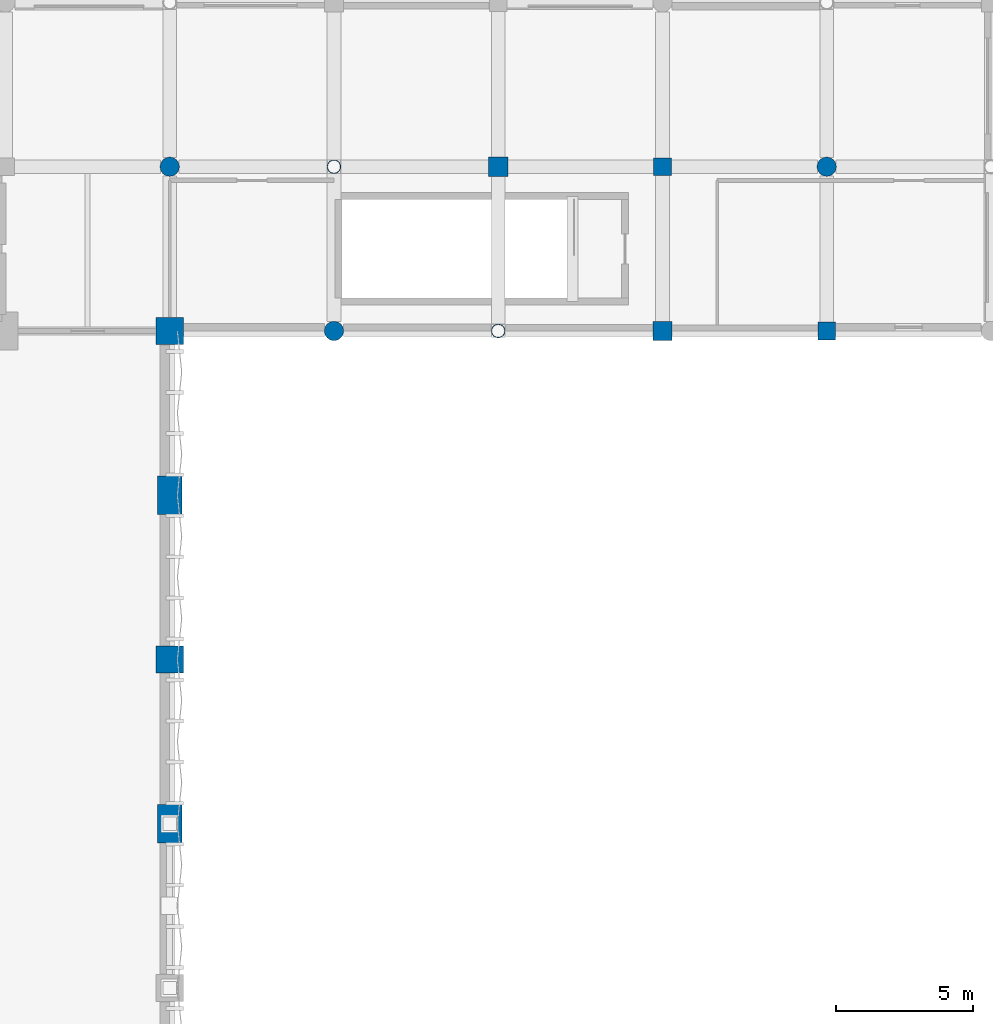
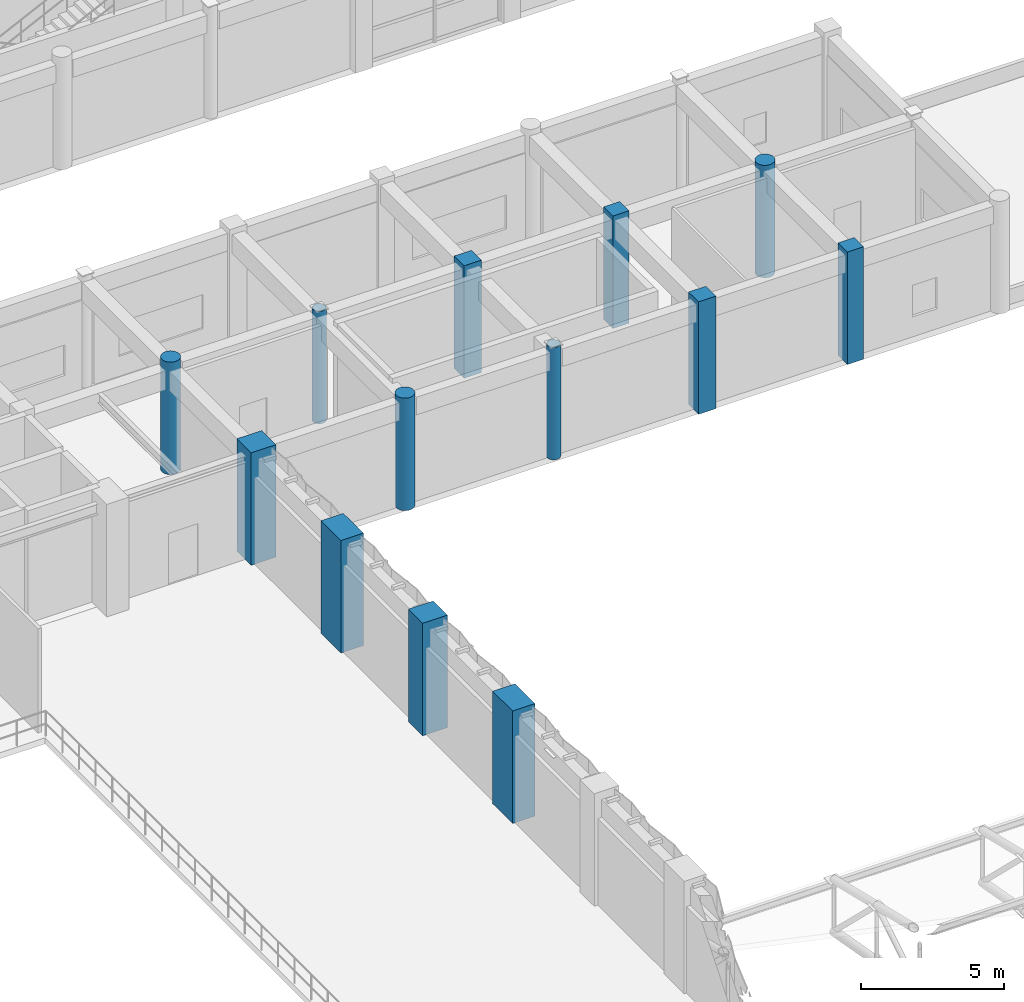
# One storey, part 8 of 123: 13 columns.
"""IFC4 building model written with IfcOpenShell, lengths in metres."""

from ifc_helpers import new_model, si_unit, direction, frame, origin, origin_2d, place, context, subcontext, project, spatial, rectangle, circle, hollow_circle, extrude, material, material_profile, profile_set, type_object, element, save


model = new_model("IFC4")

# Units and contexts
model_context = context("Model", 3, precision=1e-05, world=origin(), true_north=direction((0.0, 1.0)))
body_context = subcontext(model_context, "Body", "Model", "MODEL_VIEW")
ifc_project = project(units=[si_unit("LENGTHUNIT", "METRE"), si_unit("AREAUNIT", "SQUARE_METRE"), si_unit("VOLUMEUNIT", "CUBIC_METRE"), si_unit("PLANEANGLEUNIT", "RADIAN"), si_unit("MASSUNIT", "GRAM", prefix="KILO"), si_unit("THERMODYNAMICTEMPERATUREUNIT", "KELVIN"), si_unit("POWERUNIT", "WATT")], contexts=[model_context])

# Site, building, storey
site_placement = place(None, origin())
site = spatial("IfcSite", under=ifc_project, at=site_placement, CompositionType="ELEMENT")
building_placement = place(site_placement, origin())
building = spatial("IfcBuilding", under=site, at=building_placement, Name="Phaisarnlok Congress Hotel", CompositionType="ELEMENT")
storey_placement = place(building_placement, frame((0.0, 0.0, 15.0)))
storey = spatial("IfcBuildingStorey", under=building, at=storey_placement, Name="L03", CompositionType="ELEMENT", Elevation=15.0)

# Columns
ifc_material_1 = material(Name="Concrete C50/60", Category="concrete")
ifc_material_profile_1 = material_profile(ifc_material_1, rectangle(XDim=1.0, YDim=1.0, at=origin_2d()), Name="RC 1000x1000")
ifc_profile_set_1 = profile_set([ifc_material_profile_1], Name="Concrete C50/60")
column_type_1 = type_object("IfcColumnType", Name="COL-RC-1000", PredefinedType="COLUMN", material=ifc_profile_set_1)
for number, where, z_axis, x_axis, name in (
    (1, (66.0, 72.0, 0.0), (0.0, 0.0, 1.0), (1.0, 0.0, 0.0), "Column C-09 (L03)"),
    (2, (66.0, 84.0, 0.0), (0.0, 0.0, 1.0), (1.0, 0.0, 0.0), "Column C-09 (L03)"),
):
    element("IfcColumn", number, at=place(storey_placement, frame(where, z_axis=z_axis, x_axis=x_axis)), inside=storey, type_object=column_type_1, Name=name, PredefinedType="COLUMN", context=body_context, shape_type="SweptSolid", body=[
        extrude(rectangle(XDim=1.0, YDim=1.0, at=origin_2d()), origin(), (0.0, 0.0, 1.0), 4.800048828125),
    ])
ifc_material_profile_2 = material_profile(ifc_material_1, rectangle(XDim=0.64990234375, YDim=0.64990234375, at=origin_2d()), Name="RC 650x650")
ifc_profile_set_2 = profile_set([ifc_material_profile_2], Name="Concrete C50/60")
column_type_2 = type_object("IfcColumnType", Name="COL-RC-650", PredefinedType="COLUMN", material=ifc_profile_set_2)
for number, where, z_axis, x_axis, name in (
    (3, (84.0, 90.0, 0.0), (0.0, 0.0, 1.0), (1.0, 0.0, 0.0), "Column C-04 (L03)"),
    (4, (90.0, 84.0, 0.0), (0.0, 0.0, 1.0), (1.0, 0.0, 0.0), "Column C-04 (L03)"),
):
    element("IfcColumn", number, at=place(storey_placement, frame(where, z_axis=z_axis, x_axis=x_axis)), inside=storey, type_object=column_type_2, Name=name, PredefinedType="COLUMN", context=body_context, shape_type="SweptSolid", body=[
        extrude(rectangle(XDim=0.64990234375, YDim=0.64990234375, at=origin_2d()), origin(), (0.0, 0.0, 1.0), 4.800048828125),
    ])
ifc_material_profile_3 = material_profile(ifc_material_1, rectangle(XDim=0.699951171875, YDim=0.699951171875, at=origin_2d()), Name="RC 700x700")
ifc_profile_set_3 = profile_set([ifc_material_profile_3], Name="Concrete C50/60")
column_type_3 = type_object("IfcColumnType", Name="COL-RC-700", PredefinedType="COLUMN", material=ifc_profile_set_3)
for number, where, z_axis, x_axis, name in (
    (5, (78.0, 90.0, 0.0), (0.0, 0.0, 1.0), (1.0, 0.0, 0.0), "Column C-05 (L03)"),
    (6, (84.0, 84.0, 0.0), (0.0, 0.0, 1.0), (1.0, 0.0, 0.0), "Column C-05 (L03)"),
):
    element("IfcColumn", number, at=place(storey_placement, frame(where, z_axis=z_axis, x_axis=x_axis)), inside=storey, type_object=column_type_3, Name=name, PredefinedType="COLUMN", context=body_context, shape_type="SweptSolid", body=[
        extrude(rectangle(XDim=0.699951171875, YDim=0.699951171875, at=origin_2d()), origin(), (0.0, 0.0, 1.0), 4.800048828125),
    ])
ifc_material_profile_4 = material_profile(ifc_material_1, rectangle(XDim=0.89990234375, YDim=1.39990234375, at=origin_2d()), Name="RC 900x1400")
ifc_profile_set_4 = profile_set([ifc_material_profile_4], Name="Concrete C50/60")
column_type_4 = type_object("IfcColumnType", Name="COL-RC-900x1400", PredefinedType="COLUMN", material=ifc_profile_set_4)
for number, where, z_axis, x_axis, name in (
    (7, (66.0, 66.0, 0.0), (0.0, 0.0, 1.0), (1.0, 0.0, 0.0), "Column C-12 (L03)"),
    (8, (66.0, 78.0, 0.0), (0.0, 0.0, 1.0), (1.0, 0.0, 0.0), "Column C-12 (L03)"),
):
    element("IfcColumn", number, at=place(storey_placement, frame(where, z_axis=z_axis, x_axis=x_axis)), inside=storey, type_object=column_type_4, Name=name, PredefinedType="COLUMN", context=body_context, shape_type="SweptSolid", body=[
        extrude(rectangle(XDim=0.89990234375, YDim=1.39990234375, at=origin_2d()), origin(), (0.0, 0.0, 1.0), 4.800048828125),
    ])
ifc_material_profile_5 = material_profile(ifc_material_1, circle(Radius=0.35009765625, at=origin_2d()), Name="RCC D700")
ifc_profile_set_5 = profile_set([ifc_material_profile_5], Name="Concrete C50/60")
column_type_5 = type_object("IfcColumnType", Name="COL-RCC-700", PredefinedType="COLUMN", material=ifc_profile_set_5)
for number, where, z_axis, x_axis, name in (
    (9, (66.0, 90.0, 0.0), (0.0, 0.0, 1.0), (1.0, 0.0, 0.0), "Column C-13 (L03)"),
    (10, (72.0, 84.0, 0.0), (0.0, 0.0, 1.0), (1.0, 0.0, 0.0), "Column C-13 (L03)"),
    (11, (90.0, 90.0, 0.0), (0.0, 0.0, 1.0), (1.0, 0.0, 0.0), "Column C-13 (L03)"),
):
    element("IfcColumn", number, at=place(storey_placement, frame(where, z_axis=z_axis, x_axis=x_axis)), inside=storey, type_object=column_type_5, Name=name, PredefinedType="COLUMN", context=body_context, shape_type="SweptSolid", body=[
        extrude(circle(Radius=0.35009765625, at=origin_2d()), origin(), (0.0, 0.0, 1.0), 4.800048828125),
    ])
ifc_material_2 = material(Name="Steel S355", Category="steel")
ifc_material_profile_6 = material_profile(ifc_material_2, hollow_circle(Radius=0.25390625, WallThickness=0.02490234375, at=origin_2d()), Name="CHS 508x25")
ifc_profile_set_6 = profile_set([ifc_material_profile_6], Name="Steel S355")
column_type_6 = type_object("IfcColumnType", Name="COL-STL-CHS508", PredefinedType="COLUMN", material=ifc_profile_set_6)
for number, where, z_axis, x_axis, name in (
    (12, (72.0, 90.0, 0.0), (0.0, 0.0, 1.0), (1.0, 0.0, 0.0), "Column SC-03 (L03)"),
    (13, (78.0, 84.0, 0.0), (0.0, 0.0, 1.0), (1.0, 0.0, 0.0), "Column SC-03 (L03)"),
):
    element("IfcColumn", number, at=place(storey_placement, frame(where, z_axis=z_axis, x_axis=x_axis)), inside=storey, type_object=column_type_6, Name=name, PredefinedType="COLUMN", context=body_context, shape_type="SweptSolid", body=[
        extrude(hollow_circle(Radius=0.25390625, WallThickness=0.02490234375, at=origin_2d()), origin(), (0.0, 0.0, 1.0), 4.800048828125),
    ])

save(model, "model.ifc")
